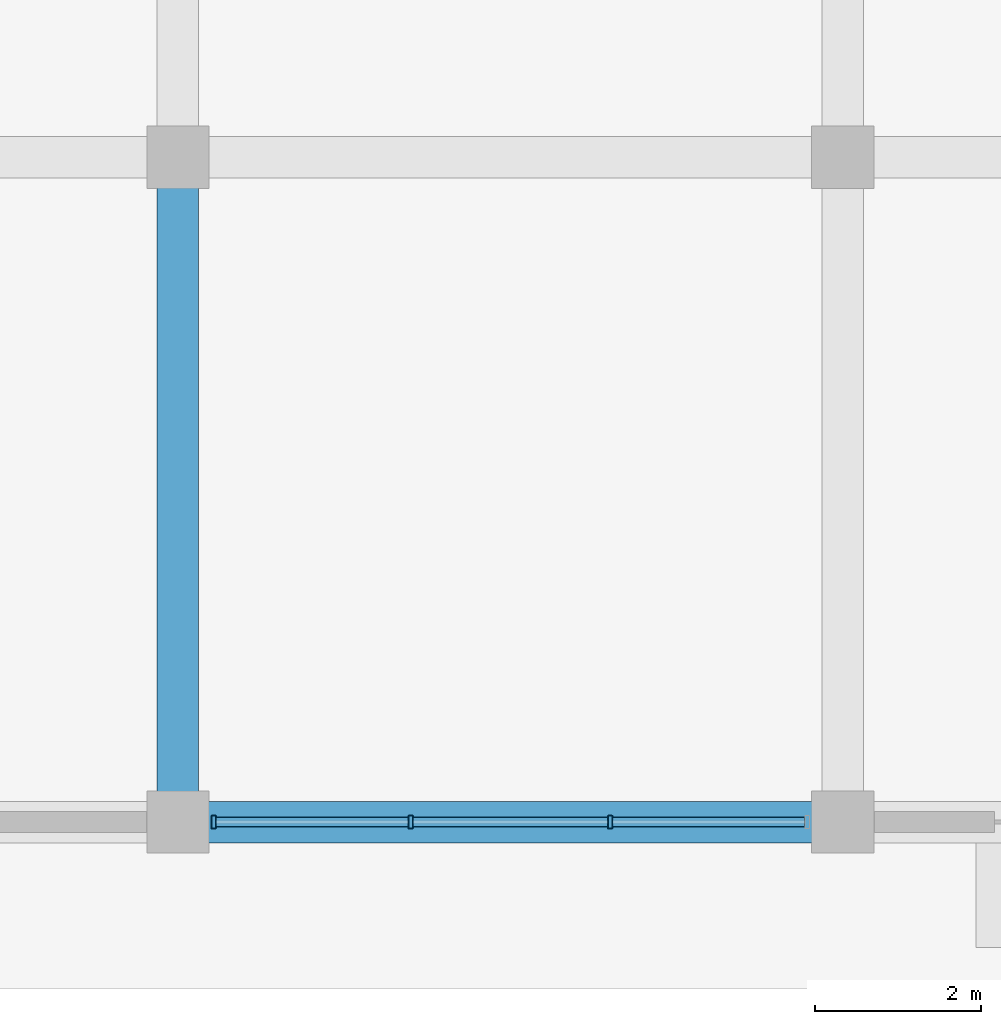
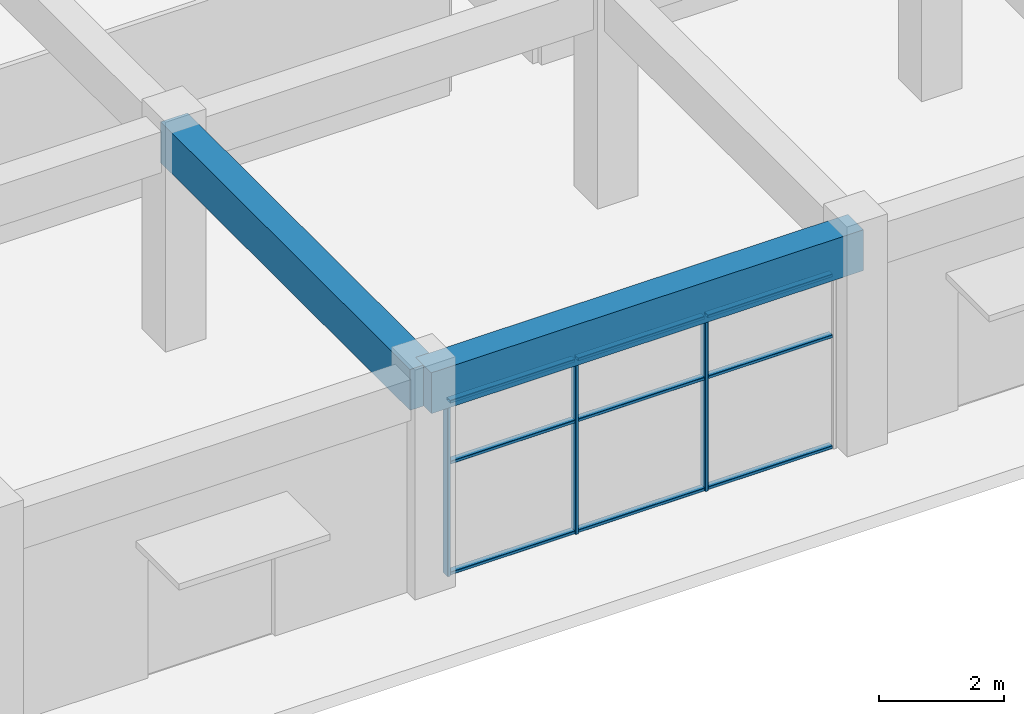
# One storey, part 8 of 40: 12 members, 2 beams, 1 element without a shape of its own.
"""IFC4 building model written with IfcOpenShell, lengths in metres."""

from ifc_helpers import new_model, si_unit, direction, frame, origin, origin_2d, place, context, subcontext, project, spatial, rectangle, hollow_rectangle, extrude, material, layer, layer_set, material_profile, profile_set, type_object, element, aggregate, save


model = new_model("IFC4")

# Units and contexts
model_context = context("Model", 3, precision=1e-05, world=origin(), true_north=direction((0.0, 1.0)))
body_context = subcontext(model_context, "Body", "Model", "MODEL_VIEW")
ifc_project = project(units=[si_unit("LENGTHUNIT", "METRE"), si_unit("AREAUNIT", "SQUARE_METRE"), si_unit("VOLUMEUNIT", "CUBIC_METRE"), si_unit("PLANEANGLEUNIT", "RADIAN"), si_unit("MASSUNIT", "GRAM", prefix="KILO")], contexts=[model_context])

# Site, building, storey
site_placement = place(None, origin())
site = spatial("IfcSite", under=ifc_project, at=site_placement, CompositionType="ELEMENT")
building_placement = place(site_placement, origin())
building = spatial("IfcBuilding", under=site, at=building_placement, Name="Kelanora Arch Commons", CompositionType="ELEMENT")
storey_placement = place(building_placement, origin())
storey = spatial("IfcBuildingStorey", under=building, at=storey_placement, Name="L00", CompositionType="ELEMENT", Elevation=0.0)

# Beams
ifc_material_1 = material(Name="Concrete C40/50", Category="concrete")
ifc_material_profile_1 = material_profile(ifc_material_1, rectangle(XDim=0.5, YDim=0.800048828125, at=origin_2d()), Name="RCB500x800")
ifc_profile_set_1 = profile_set([ifc_material_profile_1], Name="Concrete C40/50")
beam_type = type_object("IfcBeamType", Name="BM-MKT-RC1", PredefinedType="BEAM", material=ifc_profile_set_1)
for number, where, z_axis, x_axis, name in (
    (1, (60.0, 4.0, 3.840087890625), (1.0, 0.0, 0.0), (0.0, 1.0, 0.0), "Market/Basement Frame Beam 108 L00"),
    (2, (60.0, 4.0, 3.840087890625), (0.0, 1.0, 0.0), (-1.0, 0.0, 0.0), "Market/Basement Frame Beam 109 L00"),
):
    element("IfcBeam", number, at=place(storey_placement, frame(where, z_axis=z_axis, x_axis=x_axis)), inside=storey, type_object=beam_type, Name=name, PredefinedType="BEAM", context=body_context, shape_type="SweptSolid", body=[
        extrude(rectangle(XDim=0.5, YDim=0.800048828125, at=origin_2d()), origin(), (0.0, 0.0, 1.0), 8.0),
    ])

# Curtain wall, members
ifc_material_2 = material(Name="Terracotta ceramic-fritted low-E glass and aluminium", Category="masonry")
ifc_layer = layer(ifc_material_2, 0.16796875)
ifc_layer_set = layer_set([ifc_layer], Name="Terracotta ceramic-fritted low-E glass and aluminium")
curtain_wall_type = type_object("IfcCurtainWallType", Name="CW-SYS-07", PredefinedType="NOTDEFINED", material=ifc_layer_set)
curtain_wall_placement = place(storey_placement, origin())
curtain_wall = element("IfcCurtainWall", 3, at=curtain_wall_placement, inside=storey, type_object=curtain_wall_type, Name="Market Hall Arcade Curtain Wall L00-07", PredefinedType="NOTDEFINED")
ifc_material_3 = material(Name="Powder-coated aluminium terracotta", Category="masonry")
ifc_material_profile_2 = material_profile(ifc_material_3, hollow_rectangle(XDim=0.159912109375, YDim=0.06005859375, WallThickness=0.0048828125, InnerFilletRadius=0.0048828125, OuterFilletRadius=0.010009765625, at=origin_2d()), Name="CWM160x60")
ifc_profile_set_2 = profile_set([ifc_material_profile_2], Name="Powder-coated aluminium terracotta")
member_type_1 = type_object("IfcMemberType", Name="CWM-STD", PredefinedType="MULLION", material=ifc_profile_set_2)
member_1_placement = place(storey_placement, frame((60.429931640625, 4.0, 0.0), z_axis=(0.0, 0.0, 1.0), x_axis=(0.0, 1.0, 0.0)))
member_1 = element("IfcMember", 4, at=member_1_placement, type_object=member_type_1, Name="CW-07 mullion 1", PredefinedType="MULLION", context=body_context, shape_type="SweptSolid", body=[
    extrude(hollow_rectangle(XDim=0.159912109375, YDim=0.06005859375, WallThickness=0.0048828125, InnerFilletRadius=0.0048828125, OuterFilletRadius=0.010009765625, at=origin_2d()), origin(), (0.0, 0.0, 1.0), 3.419921875),
])
member_2_placement = place(storey_placement, frame((62.800048828125, 4.0, 0.0), z_axis=(0.0, 0.0, 1.0), x_axis=(0.0, 1.0, 0.0)))
member_2 = element("IfcMember", 5, at=member_2_placement, type_object=member_type_1, Name="CW-07 mullion 2", PredefinedType="MULLION", context=body_context, shape_type="SweptSolid", body=[
    extrude(hollow_rectangle(XDim=0.159912109375, YDim=0.06005859375, WallThickness=0.0048828125, InnerFilletRadius=0.0048828125, OuterFilletRadius=0.010009765625, at=origin_2d()), origin(), (0.0, 0.0, 1.0), 3.419921875),
])
member_3_placement = place(storey_placement, frame((65.199951171875, 4.0, 0.0), z_axis=(0.0, 0.0, 1.0), x_axis=(0.0, 1.0, 0.0)))
member_3 = element("IfcMember", 6, at=member_3_placement, type_object=member_type_1, Name="CW-07 mullion 3", PredefinedType="MULLION", context=body_context, shape_type="SweptSolid", body=[
    extrude(hollow_rectangle(XDim=0.159912109375, YDim=0.06005859375, WallThickness=0.0048828125, InnerFilletRadius=0.0048828125, OuterFilletRadius=0.010009765625, at=origin_2d()), origin(), (0.0, 0.0, 1.0), 3.419921875),
])
ifc_material_profile_3 = material_profile(ifc_material_3, hollow_rectangle(XDim=0.1201171875, YDim=0.06005859375, WallThickness=0.0048828125, InnerFilletRadius=0.0048828125, OuterFilletRadius=0.010009765625, at=origin_2d()), Name="CWT120x60")
ifc_profile_set_3 = profile_set([ifc_material_profile_3], Name="Powder-coated aluminium terracotta")
member_type_2 = type_object("IfcMemberType", Name="CWT-STD", PredefinedType="USERDEFINED", material=ifc_profile_set_3)
member_4_placement = place(storey_placement, frame((60.4599609375, 4.0, 0.030029296875), z_axis=(1.0, 0.0, 0.0), x_axis=(0.0, 1.0, 0.0)))
member_4 = element("IfcMember", 7, at=member_4_placement, type_object=member_type_2, Name="CW-07 transom 1.1", ObjectType="TRANSOM", PredefinedType="USERDEFINED", context=body_context, shape_type="SweptSolid", body=[
    extrude(hollow_rectangle(XDim=0.1201171875, YDim=0.06005859375, WallThickness=0.0048828125, InnerFilletRadius=0.0048828125, OuterFilletRadius=0.010009765625, at=origin_2d()), origin(), (0.0, 0.0, 1.0), 2.31005859375),
])
member_5_placement = place(storey_placement, frame((60.4599609375, 4.0, 2.199951171875), z_axis=(1.0, 0.0, 0.0), x_axis=(0.0, 1.0, 0.0)))
member_5 = element("IfcMember", 8, at=member_5_placement, type_object=member_type_2, Name="CW-07 transom 1.2", ObjectType="TRANSOM", PredefinedType="USERDEFINED", context=body_context, shape_type="SweptSolid", body=[
    extrude(hollow_rectangle(XDim=0.1201171875, YDim=0.06005859375, WallThickness=0.0048828125, InnerFilletRadius=0.0048828125, OuterFilletRadius=0.010009765625, at=origin_2d()), origin(), (0.0, 0.0, 1.0), 2.31005859375),
])
member_6_placement = place(storey_placement, frame((60.4599609375, 4.0, 3.389892578125), z_axis=(1.0, 0.0, 0.0), x_axis=(0.0, 1.0, 0.0)))
member_6 = element("IfcMember", 9, at=member_6_placement, type_object=member_type_2, Name="CW-07 transom 1.3", ObjectType="TRANSOM", PredefinedType="USERDEFINED", context=body_context, shape_type="SweptSolid", body=[
    extrude(hollow_rectangle(XDim=0.1201171875, YDim=0.06005859375, WallThickness=0.0048828125, InnerFilletRadius=0.0048828125, OuterFilletRadius=0.010009765625, at=origin_2d()), origin(), (0.0, 0.0, 1.0), 2.31005859375),
])
member_7_placement = place(storey_placement, frame((62.830078125, 4.0, 0.030029296875), z_axis=(1.0, 0.0, 0.0), x_axis=(0.0, 1.0, 0.0)))
member_7 = element("IfcMember", 10, at=member_7_placement, type_object=member_type_2, Name="CW-07 transom 2.1", ObjectType="TRANSOM", PredefinedType="USERDEFINED", context=body_context, shape_type="SweptSolid", body=[
    extrude(hollow_rectangle(XDim=0.1201171875, YDim=0.06005859375, WallThickness=0.0048828125, InnerFilletRadius=0.0048828125, OuterFilletRadius=0.010009765625, at=origin_2d()), origin(), (0.0, 0.0, 1.0), 2.33984375),
])
member_8_placement = place(storey_placement, frame((62.830078125, 4.0, 2.199951171875), z_axis=(1.0, 0.0, 0.0), x_axis=(0.0, 1.0, 0.0)))
member_8 = element("IfcMember", 11, at=member_8_placement, type_object=member_type_2, Name="CW-07 transom 2.2", ObjectType="TRANSOM", PredefinedType="USERDEFINED", context=body_context, shape_type="SweptSolid", body=[
    extrude(hollow_rectangle(XDim=0.1201171875, YDim=0.06005859375, WallThickness=0.0048828125, InnerFilletRadius=0.0048828125, OuterFilletRadius=0.010009765625, at=origin_2d()), origin(), (0.0, 0.0, 1.0), 2.33984375),
])
member_9_placement = place(storey_placement, frame((62.830078125, 4.0, 3.389892578125), z_axis=(1.0, 0.0, 0.0), x_axis=(0.0, 1.0, 0.0)))
member_9 = element("IfcMember", 12, at=member_9_placement, type_object=member_type_2, Name="CW-07 transom 2.3", ObjectType="TRANSOM", PredefinedType="USERDEFINED", context=body_context, shape_type="SweptSolid", body=[
    extrude(hollow_rectangle(XDim=0.1201171875, YDim=0.06005859375, WallThickness=0.0048828125, InnerFilletRadius=0.0048828125, OuterFilletRadius=0.010009765625, at=origin_2d()), origin(), (0.0, 0.0, 1.0), 2.33984375),
])
member_10_placement = place(storey_placement, frame((65.22998046875, 4.0, 0.030029296875), z_axis=(1.0, 0.0, 0.0), x_axis=(0.0, 1.0, 0.0)))
member_10 = element("IfcMember", 13, at=member_10_placement, type_object=member_type_2, Name="CW-07 transom 3.1", ObjectType="TRANSOM", PredefinedType="USERDEFINED", context=body_context, shape_type="SweptSolid", body=[
    extrude(hollow_rectangle(XDim=0.1201171875, YDim=0.06005859375, WallThickness=0.0048828125, InnerFilletRadius=0.0048828125, OuterFilletRadius=0.010009765625, at=origin_2d()), origin(), (0.0, 0.0, 1.0), 2.31005859375),
])
member_11_placement = place(storey_placement, frame((65.22998046875, 4.0, 2.199951171875), z_axis=(1.0, 0.0, 0.0), x_axis=(0.0, 1.0, 0.0)))
member_11 = element("IfcMember", 14, at=member_11_placement, type_object=member_type_2, Name="CW-07 transom 3.2", ObjectType="TRANSOM", PredefinedType="USERDEFINED", context=body_context, shape_type="SweptSolid", body=[
    extrude(hollow_rectangle(XDim=0.1201171875, YDim=0.06005859375, WallThickness=0.0048828125, InnerFilletRadius=0.0048828125, OuterFilletRadius=0.010009765625, at=origin_2d()), origin(), (0.0, 0.0, 1.0), 2.31005859375),
])
member_12_placement = place(storey_placement, frame((65.22998046875, 4.0, 3.389892578125), z_axis=(1.0, 0.0, 0.0), x_axis=(0.0, 1.0, 0.0)))
member_12 = element("IfcMember", 15, at=member_12_placement, type_object=member_type_2, Name="CW-07 transom 3.3", ObjectType="TRANSOM", PredefinedType="USERDEFINED", context=body_context, shape_type="SweptSolid", body=[
    extrude(hollow_rectangle(XDim=0.1201171875, YDim=0.06005859375, WallThickness=0.0048828125, InnerFilletRadius=0.0048828125, OuterFilletRadius=0.010009765625, at=origin_2d()), origin(), (0.0, 0.0, 1.0), 2.31005859375),
])
aggregate(curtain_wall, [member_1, member_2, member_3, member_4, member_5, member_6, member_7, member_8, member_9, member_10, member_11, member_12])

save(model, "model.ifc")
